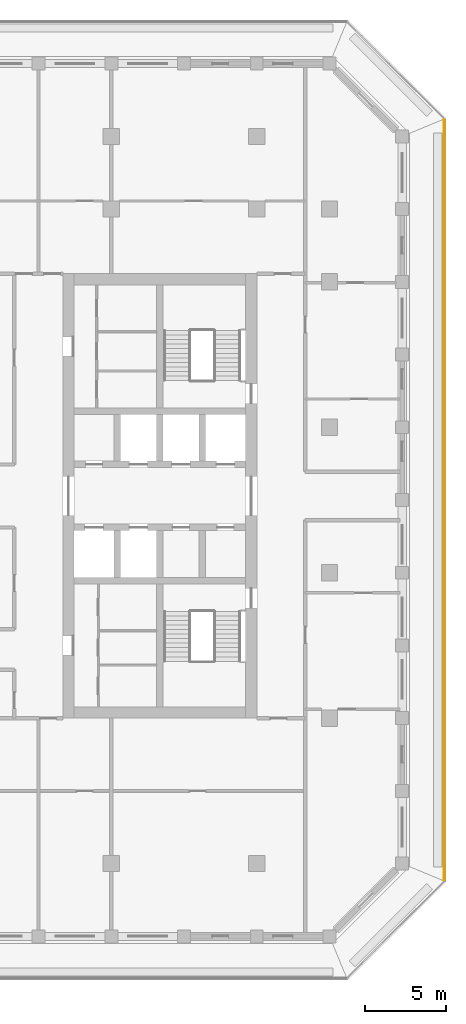
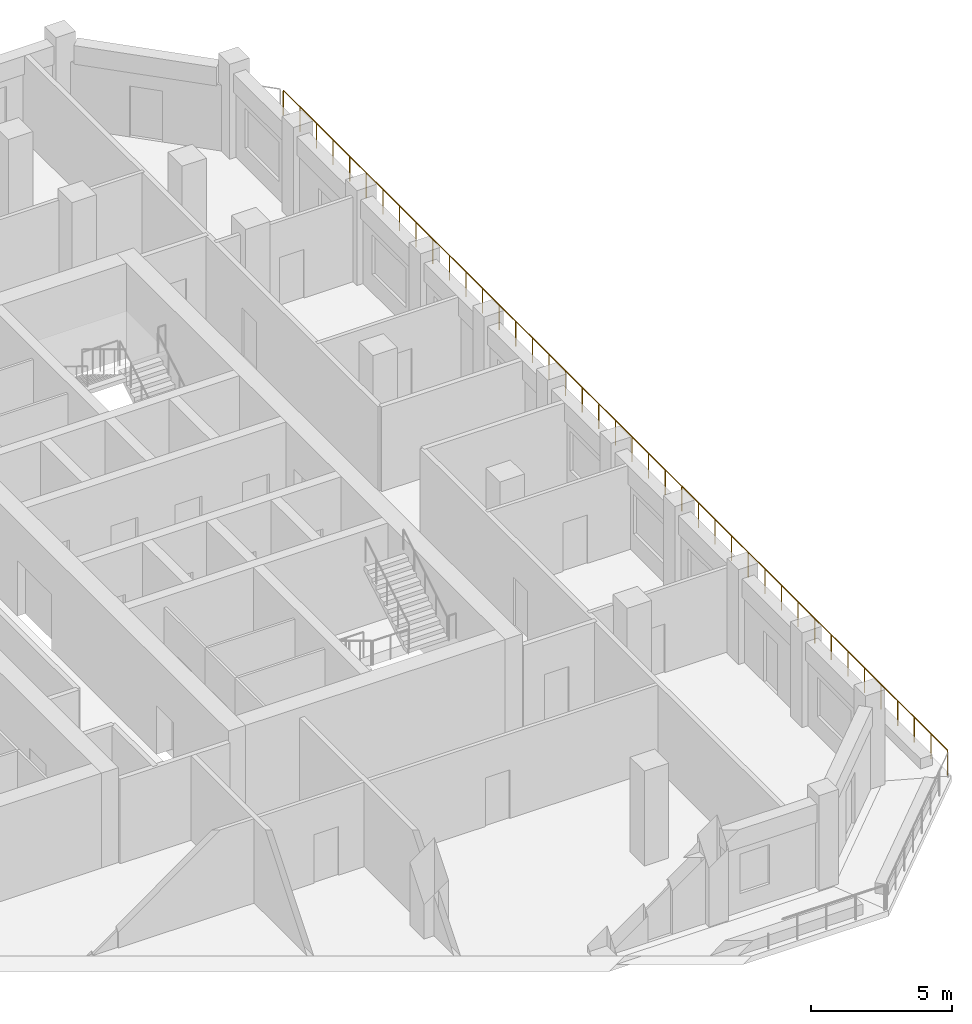
# One storey, part 13 of 17: 1 railing.
"""IFC4 building model written with IfcOpenShell, lengths in metres."""

from ifc_helpers import new_model, si_unit, direction, frame, origin, origin_2d, place, context, subcontext, project, spatial, circle, extrude, material, type_object, element, save


model = new_model("IFC4")

# Units and contexts
model_context = context("Model", 3, precision=1e-05, world=origin(), true_north=direction((0.0, 1.0)))
body_context = subcontext(model_context, "Body", "Model", "MODEL_VIEW")
ifc_project = project(units=[si_unit("LENGTHUNIT", "METRE"), si_unit("AREAUNIT", "SQUARE_METRE"), si_unit("VOLUMEUNIT", "CUBIC_METRE"), si_unit("PLANEANGLEUNIT", "RADIAN"), si_unit("MASSUNIT", "GRAM", prefix="KILO")], contexts=[model_context])

# Site, building, storey
site_placement = place(None, origin())
site = spatial("IfcSite", under=ifc_project, at=site_placement, CompositionType="ELEMENT")
building_placement = place(site_placement, origin())
building = spatial("IfcBuilding", under=site, at=building_placement, Name="Corbel Stack Research Tower", CompositionType="ELEMENT")
storey_placement = place(building_placement, frame((0.0, 0.0, 252.10009765625)))
storey = spatial("IfcBuildingStorey", under=building, at=storey_placement, Name="L57", CompositionType="ELEMENT", Elevation=252.10009765625)

# Railing
ifc_material = material(Name="Powder-coated steel guard", Category="steel")
railing_type = type_object("IfcRailingType", Name="Steel and glass guard 1100", PredefinedType="GUARDRAIL", material=ifc_material)
railing_placement = place(storey_placement, frame((29.60009765625, -19.00537109375, 0.0)))
element("IfcRailing", 1, at=railing_placement, inside=storey, type_object=railing_type, Name="Loggia guard L57 E", PredefinedType="GUARDRAIL", context=body_context, shape_type="SweptSolid", body=[
    extrude(circle(Radius=0.02392578125, at=origin_2d()), frame((0.0, 0.0, 1.076171875), z_axis=(0.0, 1.0, 0.0), x_axis=(-1.0, 0.0, 0.0)), (0.0, 0.0, 1.0), 47.0107421875),
    extrude(circle(Radius=0.02099609375, at=origin_2d()), origin(), (0.0, 0.0, 1.0), 1.052001953125),
    extrude(circle(Radius=0.02099609375, at=origin_2d()), frame((0.0, 1.17529296875, 0.0)), (0.0, 0.0, 1.0), 1.052001953125),
    extrude(circle(Radius=0.02099609375, at=origin_2d()), frame((0.0, 2.3505859375, 0.0)), (0.0, 0.0, 1.0), 1.052001953125),
    extrude(circle(Radius=0.02099609375, at=origin_2d()), frame((0.0, 3.52587890625, 0.0)), (0.0, 0.0, 1.0), 1.052001953125),
    extrude(circle(Radius=0.02099609375, at=origin_2d()), frame((0.0, 4.701171875, 0.0)), (0.0, 0.0, 1.0), 1.052001953125),
    extrude(circle(Radius=0.02099609375, at=origin_2d()), frame((0.0, 5.87646484375, 0.0)), (0.0, 0.0, 1.0), 1.052001953125),
    extrude(circle(Radius=0.02099609375, at=origin_2d()), frame((0.0, 7.051513671875, 0.0)), (0.0, 0.0, 1.0), 1.052001953125),
    extrude(circle(Radius=0.02099609375, at=origin_2d()), frame((0.0, 8.226806640625, 0.0)), (0.0, 0.0, 1.0), 1.052001953125),
    extrude(circle(Radius=0.02099609375, at=origin_2d()), frame((0.0, 9.402099609375, 0.0)), (0.0, 0.0, 1.0), 1.052001953125),
    extrude(circle(Radius=0.02099609375, at=origin_2d()), frame((0.0, 10.577392578125, 0.0)), (0.0, 0.0, 1.0), 1.052001953125),
    extrude(circle(Radius=0.02099609375, at=origin_2d()), frame((0.0, 11.752685546875, 0.0)), (0.0, 0.0, 1.0), 1.052001953125),
    extrude(circle(Radius=0.02099609375, at=origin_2d()), frame((0.0, 12.927978515625, 0.0)), (0.0, 0.0, 1.0), 1.052001953125),
    extrude(circle(Radius=0.02099609375, at=origin_2d()), frame((0.0, 14.103271484375, 0.0)), (0.0, 0.0, 1.0), 1.052001953125),
    extrude(circle(Radius=0.02099609375, at=origin_2d()), frame((0.0, 15.278564453125, 0.0)), (0.0, 0.0, 1.0), 1.052001953125),
    extrude(circle(Radius=0.02099609375, at=origin_2d()), frame((0.0, 16.453857421875, 0.0)), (0.0, 0.0, 1.0), 1.052001953125),
    extrude(circle(Radius=0.02099609375, at=origin_2d()), frame((0.0, 17.62890625, 0.0)), (0.0, 0.0, 1.0), 1.052001953125),
    extrude(circle(Radius=0.02099609375, at=origin_2d()), frame((0.0, 18.80419921875, 0.0)), (0.0, 0.0, 1.0), 1.052001953125),
    extrude(circle(Radius=0.02099609375, at=origin_2d()), frame((0.0, 19.9794921875, 0.0)), (0.0, 0.0, 1.0), 1.052001953125),
    extrude(circle(Radius=0.02099609375, at=origin_2d()), frame((0.0, 21.15478515625, 0.0)), (0.0, 0.0, 1.0), 1.052001953125),
    extrude(circle(Radius=0.02099609375, at=origin_2d()), frame((0.0, 22.330078125, 0.0)), (0.0, 0.0, 1.0), 1.052001953125),
    extrude(circle(Radius=0.02099609375, at=origin_2d()), frame((0.0, 23.50537109375, 0.0)), (0.0, 0.0, 1.0), 1.052001953125),
    extrude(circle(Radius=0.02099609375, at=origin_2d()), frame((0.0, 24.6806640625, 0.0)), (0.0, 0.0, 1.0), 1.052001953125),
    extrude(circle(Radius=0.02099609375, at=origin_2d()), frame((0.0, 25.85595703125, 0.0)), (0.0, 0.0, 1.0), 1.052001953125),
    extrude(circle(Radius=0.02099609375, at=origin_2d()), frame((0.0, 27.03125, 0.0)), (0.0, 0.0, 1.0), 1.052001953125),
    extrude(circle(Radius=0.02099609375, at=origin_2d()), frame((0.0, 28.20654296875, 0.0)), (0.0, 0.0, 1.0), 1.052001953125),
    extrude(circle(Radius=0.02099609375, at=origin_2d()), frame((0.0, 29.3818359375, 0.0)), (0.0, 0.0, 1.0), 1.052001953125),
    extrude(circle(Radius=0.02099609375, at=origin_2d()), frame((0.0, 30.556884765625, 0.0)), (0.0, 0.0, 1.0), 1.052001953125),
    extrude(circle(Radius=0.02099609375, at=origin_2d()), frame((0.0, 31.732177734375, 0.0)), (0.0, 0.0, 1.0), 1.052001953125),
    extrude(circle(Radius=0.02099609375, at=origin_2d()), frame((0.0, 32.907470703125, 0.0)), (0.0, 0.0, 1.0), 1.052001953125),
    extrude(circle(Radius=0.02099609375, at=origin_2d()), frame((0.0, 34.082763671875, 0.0)), (0.0, 0.0, 1.0), 1.052001953125),
    extrude(circle(Radius=0.02099609375, at=origin_2d()), frame((0.0, 35.258056640625, 0.0)), (0.0, 0.0, 1.0), 1.052001953125),
    extrude(circle(Radius=0.02099609375, at=origin_2d()), frame((0.0, 36.433349609375, 0.0)), (0.0, 0.0, 1.0), 1.052001953125),
    extrude(circle(Radius=0.02099609375, at=origin_2d()), frame((0.0, 37.608642578125, 0.0)), (0.0, 0.0, 1.0), 1.052001953125),
    extrude(circle(Radius=0.02099609375, at=origin_2d()), frame((0.0, 38.783935546875, 0.0)), (0.0, 0.0, 1.0), 1.052001953125),
    extrude(circle(Radius=0.02099609375, at=origin_2d()), frame((0.0, 39.959228515625, 0.0)), (0.0, 0.0, 1.0), 1.052001953125),
    extrude(circle(Radius=0.02099609375, at=origin_2d()), frame((0.0, 41.13427734375, 0.0)), (0.0, 0.0, 1.0), 1.052001953125),
    extrude(circle(Radius=0.02099609375, at=origin_2d()), frame((0.0, 42.3095703125, 0.0)), (0.0, 0.0, 1.0), 1.052001953125),
    extrude(circle(Radius=0.02099609375, at=origin_2d()), frame((0.0, 43.48486328125, 0.0)), (0.0, 0.0, 1.0), 1.052001953125),
    extrude(circle(Radius=0.02099609375, at=origin_2d()), frame((0.0, 44.66015625, 0.0)), (0.0, 0.0, 1.0), 1.052001953125),
    extrude(circle(Radius=0.02099609375, at=origin_2d()), frame((0.0, 45.83544921875, 0.0)), (0.0, 0.0, 1.0), 1.052001953125),
    extrude(circle(Radius=0.02099609375, at=origin_2d()), frame((0.0, 47.0107421875, 0.0)), (0.0, 0.0, 1.0), 1.052001953125),
])

save(model, "model.ifc")
